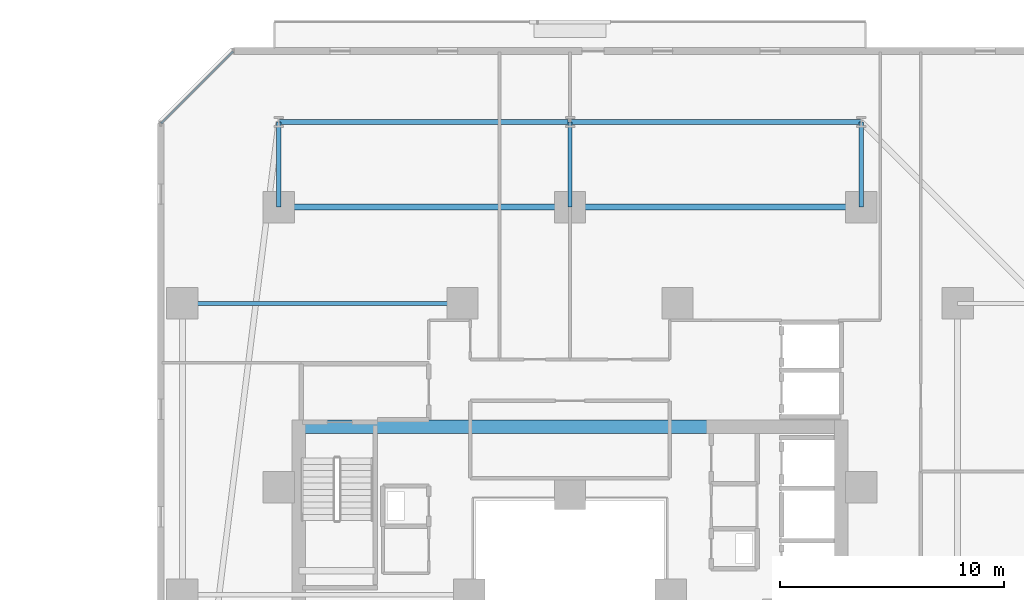
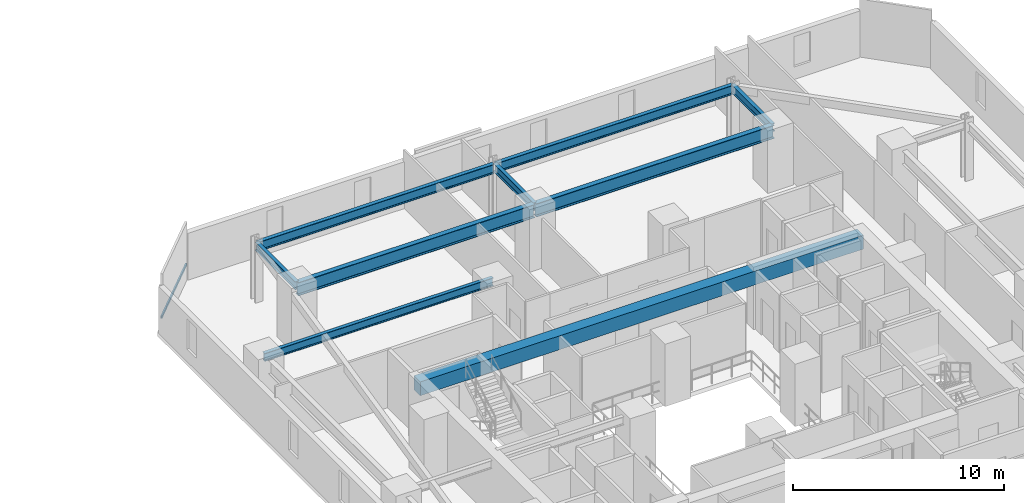
# One storey, part 15 of 34: 9 beams, 1 member, 1 element without a shape of its own.
"""IFC4 building model written with IfcOpenShell, lengths in metres."""

from ifc_helpers import new_model, si_unit, direction, frame, origin, origin_2d, place, context, subcontext, project, spatial, rectangle, hollow_rectangle, i_section, extrude, material, material_profile, profile_set, type_object, element, aggregate, save


model = new_model("IFC4")

# Units and contexts
model_context = context("Model", 3, precision=1e-05, world=origin(), true_north=direction((0.0, 1.0)))
body_context = subcontext(model_context, "Body", "Model", "MODEL_VIEW")
ifc_project = project(units=[si_unit("LENGTHUNIT", "METRE"), si_unit("AREAUNIT", "SQUARE_METRE"), si_unit("VOLUMEUNIT", "CUBIC_METRE"), si_unit("PLANEANGLEUNIT", "RADIAN"), si_unit("MASSUNIT", "GRAM", prefix="KILO")], contexts=[model_context])

# Site, building, storey
site_placement = place(None, origin())
site = spatial("IfcSite", under=ifc_project, at=site_placement, CompositionType="ELEMENT")
building_placement = place(site_placement, origin())
building = spatial("IfcBuilding", under=site, at=building_placement, Name="Thornwick Lancets Civic Towers", CompositionType="ELEMENT")
storey_placement = place(building_placement, frame((0.0, 0.0, 60.89990234375)))
storey = spatial("IfcBuildingStorey", under=building, at=storey_placement, Name="L15", CompositionType="ELEMENT", Elevation=60.89990234375)

# Beams
ifc_material_1 = material(Name="Concrete C60/75", Category="concrete")
ifc_material_profile_1 = material_profile(ifc_material_1, rectangle(XDim=0.60009765625, YDim=0.800048828125, at=origin_2d()), Name="RC 600x800")
ifc_profile_set_1 = profile_set([ifc_material_profile_1], Name="Concrete C60/75")
beam_type_1 = type_object("IfcBeamType", Name="BM_COUP_RC800", PredefinedType="BEAM", material=ifc_profile_set_1)
beam_1_placement = place(storey_placement, frame((76.39990234375, 34.5, 2.960205078125), z_axis=(1.0, 0.0, 0.0), x_axis=(0.0, 1.0, 0.0)))
element("IfcBeam", 1, at=beam_1_placement, inside=storey, type_object=beam_type_1, Name="CB-L15-B1", PredefinedType="BEAM", context=body_context, shape_type="SweptSolid", body=[
    extrude(rectangle(XDim=0.60009765625, YDim=0.800048828125, at=origin_2d()), origin(), (0.0, 0.0, 1.0), 24.2001953125),
])
ifc_material_2 = material(Name="Steel S355JR", Category="steel")
ifc_material_profile_2 = material_profile(ifc_material_2, i_section(OverallWidth=0.2119140625, OverallDepth=0.54443359375, WebThickness=0.0126953125, FlangeThickness=0.021240234375, FilletRadius=0.0126953125, at=origin_2d()), Name="UKB 533x210x122")
ifc_profile_set_2 = profile_set([ifc_material_profile_2], Name="Steel S355JR")
beam_type_2 = type_object("IfcBeamType", Name="BM_EDGE_533_122", PredefinedType="SPANDREL", material=ifc_profile_set_2)
beam_2_placement = place(storey_placement, frame((101.5, 48.10009765625, 3.087890625), z_axis=(-1.0, 0.0, 0.0), x_axis=(0.0, -1.0, 0.0)))
element("IfcBeam", 2, at=beam_2_placement, inside=storey, type_object=beam_type_2, Name="BM-EDGE-L15-B-S1-1", PredefinedType="SPANDREL", context=body_context, shape_type="SweptSolid", body=[
    extrude(i_section(OverallWidth=0.2119140625, OverallDepth=0.54443359375, WebThickness=0.0126953125, FlangeThickness=0.021240234375, FilletRadius=0.0126953125, at=origin_2d()), origin(), (0.0, 0.0, 1.0), 13.0),
])
beam_3_placement = place(storey_placement, frame((88.419921875, 48.10009765625, 3.087890625), z_axis=(-1.0, 0.0, 0.0), x_axis=(0.0, -1.0, 0.0)))
element("IfcBeam", 3, at=beam_3_placement, inside=storey, type_object=beam_type_2, Name="BM-EDGE-L15-B-S1-2", PredefinedType="SPANDREL", context=body_context, shape_type="SweptSolid", body=[
    extrude(i_section(OverallWidth=0.2119140625, OverallDepth=0.54443359375, WebThickness=0.0126953125, FlangeThickness=0.021240234375, FilletRadius=0.0126953125, at=origin_2d()), origin(), (0.0, 0.0, 1.0), 12.919921875),
])
ifc_material_profile_3 = material_profile(ifc_material_2, i_section(OverallWidth=0.26806640625, OverallDepth=0.769775390625, WebThickness=0.015625, FlangeThickness=0.025390625, FilletRadius=0.0166015625, at=origin_2d()), Name="UKB 762x267x197")
ifc_profile_set_3 = profile_set([ifc_material_profile_3], Name="Steel S355JR")
beam_type_3 = type_object("IfcBeamType", Name="BM_GIRD_762_197", PredefinedType="BEAM", material=ifc_profile_set_3)
beam_4_placement = place(storey_placement, frame((101.5, 44.300048828125, 2.97509765625), z_axis=(-1.0, 0.0, 0.0), x_axis=(0.0, -1.0, 0.0)))
element("IfcBeam", 4, at=beam_4_placement, inside=storey, type_object=beam_type_3, Name="BM-SPINE-L15-B-3-4", PredefinedType="BEAM", context=body_context, shape_type="SweptSolid", body=[
    extrude(i_section(OverallWidth=0.26806640625, OverallDepth=0.769775390625, WebThickness=0.015625, FlangeThickness=0.025390625, FilletRadius=0.0166015625, at=origin_2d()), origin(), (0.0, 0.0, 1.0), 13.0),
])
beam_5_placement = place(storey_placement, frame((88.419921875, 44.300048828125, 2.97509765625), z_axis=(-1.0, 0.0, 0.0), x_axis=(0.0, -1.0, 0.0)))
element("IfcBeam", 5, at=beam_5_placement, inside=storey, type_object=beam_type_3, Name="BM-SPINE-L15-B-4-5", PredefinedType="BEAM", context=body_context, shape_type="SweptSolid", body=[
    extrude(i_section(OverallWidth=0.26806640625, OverallDepth=0.769775390625, WebThickness=0.015625, FlangeThickness=0.025390625, FilletRadius=0.0166015625, at=origin_2d()), origin(), (0.0, 0.0, 1.0), 12.919921875),
])
ifc_material_profile_4 = material_profile(ifc_material_2, i_section(OverallWidth=0.19287109375, OverallDepth=0.46728515625, WebThickness=0.011474609375, FlangeThickness=0.01953125, FilletRadius=0.01025390625, at=origin_2d()), Name="UKB 457x191x98")
ifc_profile_set_4 = profile_set([ifc_material_profile_4], Name="Steel S355JR")
beam_type_4 = type_object("IfcBeamType", Name="BM_JOIST_457_98", PredefinedType="JOIST", material=ifc_profile_set_4)
for number, where, z_axis, x_axis, name in (
    (6, (101.5, 44.300048828125, 3.12646484375), (0.0, 1.0, 0.0), (-1.0, 0.0, 0.0), "BM-RAD-L15-B04"),
    (7, (88.5, 44.300048828125, 3.12646484375), (0.0, 1.0, 0.0), (-1.0, 0.0, 0.0), "BM-RAD-L15-B05"),
    (8, (75.5, 44.300048828125, 3.12646484375), (0.0, 1.0, 0.0), (-1.0, 0.0, 0.0), "BM-RAD-L15-B06"),
):
    element("IfcBeam", number, at=place(storey_placement, frame(where, z_axis=z_axis, x_axis=x_axis)), inside=storey, type_object=beam_type_4, Name=name, PredefinedType="JOIST", context=body_context, shape_type="SweptSolid", body=[
        extrude(i_section(OverallWidth=0.19287109375, OverallDepth=0.46728515625, WebThickness=0.011474609375, FlangeThickness=0.01953125, FilletRadius=0.01025390625, at=origin_2d()), origin(), (0.0, 0.0, 1.0), 3.800048828125),
    ])
beam_6_placement = place(storey_placement, frame((83.699951171875, 40.0, 3.12646484375), z_axis=(-1.0, 0.0, 0.0), x_axis=(0.0, -1.0, 0.0)))
element("IfcBeam", 9, at=beam_6_placement, inside=storey, type_object=beam_type_4, Name="BM-RADIN-L15-B09", PredefinedType="JOIST", context=body_context, shape_type="SweptSolid", body=[
    extrude(i_section(OverallWidth=0.19287109375, OverallDepth=0.46728515625, WebThickness=0.011474609375, FlangeThickness=0.01953125, FilletRadius=0.01025390625, at=origin_2d()), origin(), (0.0, 0.0, 1.0), 12.5),
])

# Curtain wall, member
ifc_material_3 = material(Name="Low-zone chamfered-corner unitised glass curtain wall", Category="glass")
curtain_wall_type = type_object("IfcCurtainWallType", Name="CW_SYS_03", PredefinedType="NOTDEFINED", material=ifc_material_3)
curtain_wall_placement = place(storey_placement, origin())
curtain_wall = element("IfcCurtainWall", 10, at=curtain_wall_placement, inside=storey, type_object=curtain_wall_type, Name="L15 Curtain Wall CW-L15-B-E5", PredefinedType="NOTDEFINED")
ifc_material_4 = material(Name="Thermally broken bronze aluminium S355", Category="steel")
ifc_material_profile_5 = material_profile(ifc_material_4, hollow_rectangle(XDim=0.074951171875, YDim=0.14990234375, WallThickness=0.0048828125, at=origin_2d()), Name="RHS 150x75x5")
ifc_profile_set_5 = profile_set([ifc_material_profile_5], Name="Thermally broken bronze aluminium S355")
member_type = type_object("IfcMemberType", Name="CW_TRN_150", PredefinedType="USERDEFINED", material=ifc_profile_set_5)
member_placement = place(storey_placement, frame((73.457275390625, 51.24853515625, 0.85009765625), z_axis=(-0.707106781187, -0.707106781187, 0.0), x_axis=(0.707106781187, -0.707106781187, 0.0)))
member = element("IfcMember", 11, at=member_placement, type_object=member_type, Name="CW-L15-B-E5 Transom 0", ObjectType="TRANSOM", PredefinedType="USERDEFINED", context=body_context, shape_type="SweptSolid", body=[
    extrude(hollow_rectangle(XDim=0.074951171875, YDim=0.14990234375, WallThickness=0.0048828125, at=origin_2d()), origin(), (0.0, 0.0, 1.0), 4.53369140625),
])
aggregate(curtain_wall, [member])

save(model, "model.ifc")
